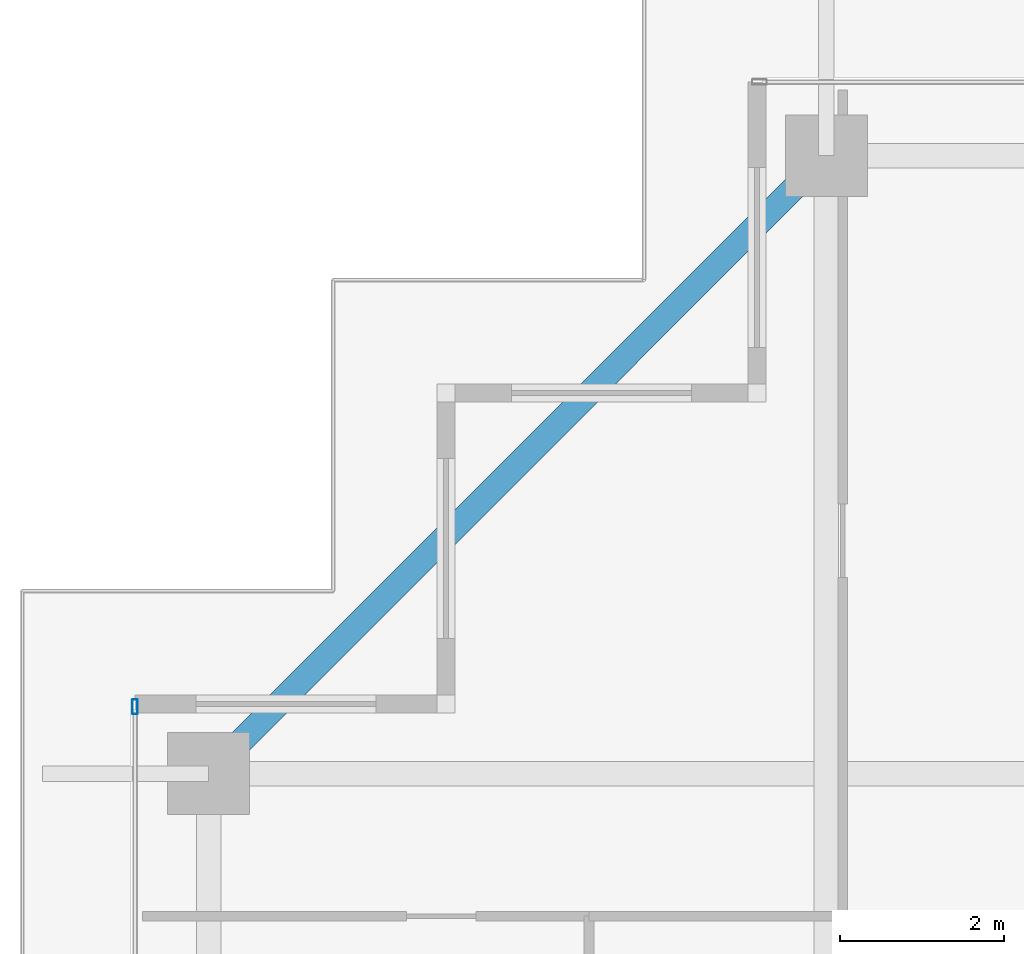
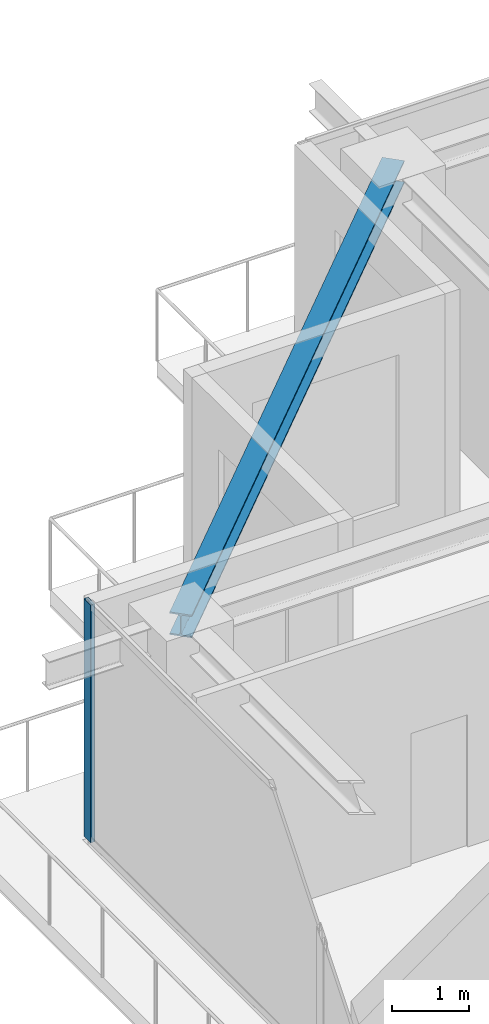
# One storey, part 21 of 42: 1 beam, 1 member, 1 element without a shape of its own.
"""IFC4 building model written with IfcOpenShell, lengths in metres."""

from ifc_helpers import new_model, si_unit, direction, frame, origin, origin_2d, place, context, subcontext, project, spatial, hollow_rectangle, i_section, extrude, source, transform, mapped, material, layer, layer_set, material_profile, profile_set, type_object, element, aggregate, save


model = new_model("IFC4")

# Units and contexts
model_context = context("Model", 3, precision=1e-05, world=origin(), true_north=direction((0.0, 1.0)))
body_context = subcontext(model_context, "Body", "Model", "MODEL_VIEW")
ifc_project = project(units=[si_unit("LENGTHUNIT", "METRE"), si_unit("AREAUNIT", "SQUARE_METRE"), si_unit("VOLUMEUNIT", "CUBIC_METRE"), si_unit("PLANEANGLEUNIT", "RADIAN"), si_unit("MASSUNIT", "GRAM", prefix="KILO")], contexts=[model_context])

# Site, building, storey
site_placement = place(None, origin())
site = spatial("IfcSite", under=ifc_project, at=site_placement, CompositionType="ELEMENT")
building_placement = place(site_placement, origin())
building = spatial("IfcBuilding", under=site, at=building_placement, Name="Serunith Strait Residences", CompositionType="ELEMENT")
storey_placement = place(building_placement, frame((0.0, 0.0, 297.5)))
storey = spatial("IfcBuildingStorey", under=building, at=storey_placement, Name="L74", CompositionType="ELEMENT", Elevation=297.5)

# Beam
ifc_material_1 = material(Name="Steel S355J2", Category="steel")
ifc_material_profile_1 = material_profile(ifc_material_1, i_section(OverallWidth=0.300048828125, OverallDepth=0.360107421875, WebThickness=0.012451171875, FlangeThickness=0.0224609375, FilletRadius=0.027099609375, at=origin_2d()), Name="HEB 360")
ifc_profile_set_1 = profile_set([ifc_material_profile_1], Name="Steel S355J2")
beam_type = type_object("IfcBeamType", Name="BM-HEB360", PredefinedType="BEAM", material=ifc_profile_set_1)
shared_shape_1 = source(origin(), body_context, "Body", "SweptSolid", [
    extrude(i_section(OverallWidth=0.300048828125, OverallDepth=0.360107421875, WebThickness=0.012451171875, FlangeThickness=0.0224609375, FilletRadius=0.027099609375, at=origin_2d()), origin(), (0.0, 0.0, 1.0), 10.67724609375),
])
beam_placement = place(storey_placement, frame((17.64990234375, 47.10009765625, 3.576904296875), z_axis=(-0.707095348302, -0.707118213887, 0.0), x_axis=(0.707118213887, -0.707095348302, 0.0)))
element("IfcBeam", 1, at=beam_placement, inside=storey, type_object=beam_type, Name="L74 Perimeter Ring Beam 12", PredefinedType="BEAM", context=body_context, shape_type="MappedRepresentation", body=[
    mapped(shared_shape_1, transform((0.0, 0.0, 0.0), scale=1.0)),
])

# Curtain wall, member
ifc_material_2 = material(Name="Brushed Stainless-Silver Aluminium", Category="aluminium")
ifc_layer = layer(ifc_material_2, 0.199951171875, Name="Brushed Stainless-Silver Aluminium")
ifc_layer_set = layer_set([ifc_layer], Name="Brushed Stainless-Silver Aluminium")
curtain_wall_type = type_object("IfcCurtainWallType", Name="CW-SYS5", PredefinedType="NOTDEFINED", material=ifc_layer_set)
curtain_wall_placement = place(storey_placement, origin())
curtain_wall = element("IfcCurtainWall", 2, at=curtain_wall_placement, inside=storey, type_object=curtain_wall_type, Name="L74 W Unitised Fritted Curtain Wall", PredefinedType="NOTDEFINED")
ifc_material_profile_2 = material_profile(ifc_material_2, hollow_rectangle(XDim=0.06494140625, YDim=0.179931640625, WallThickness=0.00341796875, InnerFilletRadius=0.00537109375, OuterFilletRadius=0.0087890625, at=origin_2d()), Name="ALU 180x65x3.5")
ifc_profile_set_2 = profile_set([ifc_material_profile_2], Name="Brushed Stainless-Silver Aluminium")
member_type = type_object("IfcMemberType", Name="CW-SYS5-MULL", PredefinedType="MULLION", material=ifc_profile_set_2)
shared_shape_2 = source(origin(), body_context, "Body", "SweptSolid", [
    extrude(hollow_rectangle(XDim=0.06494140625, YDim=0.179931640625, WallThickness=0.00341796875, InnerFilletRadius=0.00537109375, OuterFilletRadius=0.0087890625, at=origin_2d()), origin(), (0.0, 0.0, 1.0), 3.77490234375),
])
member_placement = place(storey_placement, frame((9.199951171875, 40.367431640625, 0.0), z_axis=(0.0, 0.0, 1.0), x_axis=(1.0, 0.0, 0.0)))
member = element("IfcMember", 3, at=member_placement, type_object=member_type, Name="CW-5 mullion 1", PredefinedType="MULLION", context=body_context, shape_type="MappedRepresentation", body=[
    mapped(shared_shape_2, transform((0.0, 0.0, 0.0), scale=1.0)),
])
aggregate(curtain_wall, [member])

save(model, "model.ifc")
